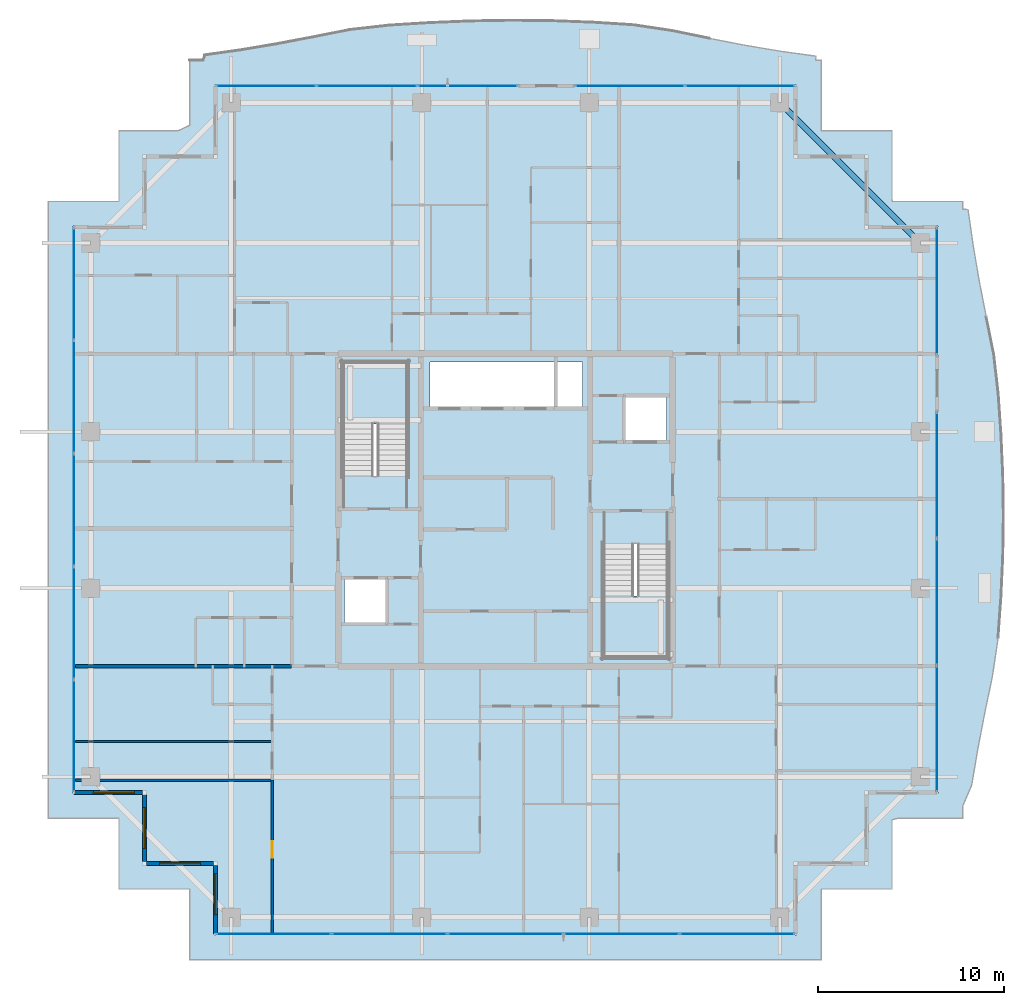
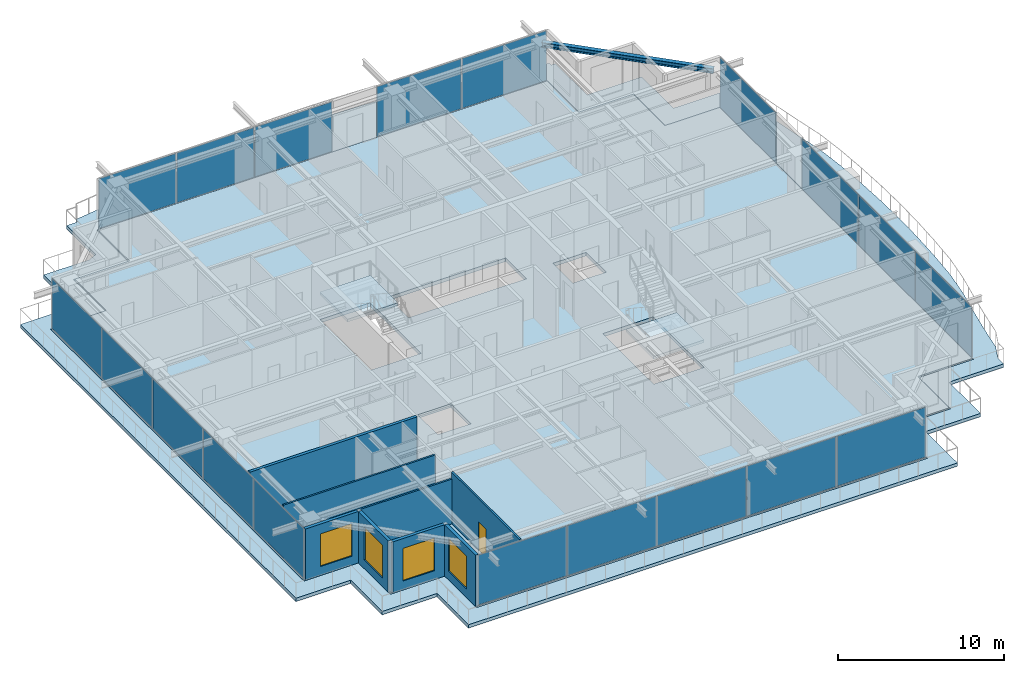
# One storey, part 27 of 40: 19 plates, 8 walls, 4 slabs, 4 windows, 1 beam, 1 door, 5 openings, 8 elements without a shape of their own.
"""IFC4 building model written with IfcOpenShell, lengths in metres."""

from ifc_helpers import new_model, si_unit, direction, frame, frame_2d, origin, origin_2d, place, context, subcontext, project, spatial, polyline, rectangle, i_section, outline, extrude, source, transform, mapped, material, layer, layer_set, material_profile, profile_set, type_object, element, fill, aggregate, save


model = new_model("IFC4")

# Units and contexts
model_context = context("Model", 3, precision=1e-05, world=origin(), true_north=direction((0.0, 1.0)))
body_context = subcontext(model_context, "Body", "Model", "MODEL_VIEW")
ifc_project = project(units=[si_unit("LENGTHUNIT", "METRE"), si_unit("AREAUNIT", "SQUARE_METRE"), si_unit("VOLUMEUNIT", "CUBIC_METRE"), si_unit("PLANEANGLEUNIT", "RADIAN"), si_unit("MASSUNIT", "GRAM", prefix="KILO")], contexts=[model_context])

# Site, building, storey
site_placement = place(None, origin())
site = spatial("IfcSite", under=ifc_project, at=site_placement, CompositionType="ELEMENT")
building_placement = place(site_placement, origin())
building = spatial("IfcBuilding", under=site, at=building_placement, Name="Serunith Strait Residences", CompositionType="ELEMENT")
storey_placement = place(building_placement, frame((0.0, 0.0, 313.699951171875)))
storey = spatial("IfcBuildingStorey", under=building, at=storey_placement, Name="L78", CompositionType="ELEMENT", Elevation=313.699951171875)

# Beam
ifc_material_1 = material(Name="Steel S355J2", Category="steel")
ifc_material_profile = material_profile(ifc_material_1, i_section(OverallWidth=0.300048828125, OverallDepth=0.360107421875, WebThickness=0.012451171875, FlangeThickness=0.0224609375, FilletRadius=0.027099609375, at=origin_2d()), Name="HEB 360")
ifc_profile_set = profile_set([ifc_material_profile], Name="Steel S355J2")
beam_type = type_object("IfcBeamType", Name="BM-HEB360", PredefinedType="BEAM", material=ifc_profile_set)
shared_shape_1 = source(origin(), body_context, "Body", "SweptSolid", [
    extrude(i_section(OverallWidth=0.300048828125, OverallDepth=0.360107421875, WebThickness=0.012451171875, FlangeThickness=0.0224609375, FilletRadius=0.027099609375, at=origin_2d()), origin(), (0.0, 0.0, 1.0), 10.677490234375),
])
beam_placement = place(storey_placement, frame((54.699951171875, 39.550048828125, 3.5771484375), z_axis=(-0.707106781187, 0.707106781187, 0.0), x_axis=(-0.707106781187, -0.707106781187, 0.0)))
element("IfcBeam", 1, at=beam_placement, inside=storey, type_object=beam_type, Name="L78 Perimeter Ring Beam 08", PredefinedType="BEAM", context=body_context, shape_type="MappedRepresentation", body=[
    mapped(shared_shape_1, transform((0.0, 0.0, 0.0), scale=1.0)),
])

# Slab
ifc_material_2 = material(Name="Concrete C50/60", Category="concrete")
ifc_layer_1 = layer(ifc_material_2, 0.239990234375, Name="Concrete C50/60")
ifc_layer_set_1 = layer_set([ifc_layer_1], Name="Concrete C50/60")
slab_type_1 = type_object("IfcSlabType", Name="SLB-BALC-240", PredefinedType="FLOOR", material=ifc_layer_set_1)
slab_1_placement = place(storey_placement, frame((0.0, 0.0, -0.2900390625)))
element("IfcSlab", 2, at=slab_1_placement, inside=storey, type_object=slab_type_1, Name="L78 Planted Vertical-Forest Balcony Slab", PredefinedType="FLOOR", context=body_context, shape_type="SweptSolid", body=[
    extrude(outline(polyline([(15.419921875, 49.3798828125), (16.14990234375, 49.3798828125), (16.240478515625, 49.653564453125), (18.141845703125, 49.92138671875), (20.06103515625, 50.243896484375), (22.014892578125, 50.614501953125), (24.022216796875, 51.0126953125), (26.134765625, 51.25146484375), (28.303466796875, 51.38720703125), (30.498291015625, 51.477783203125), (32.707763671875, 51.5146484375), (34.917724609375, 51.49169921875), (37.11279296875, 51.408447265625), (39.27978515625, 51.27099609375), (41.363037109375, 50.959228515625), (43.35205078125, 50.551025390625), (45.289794921875, 50.176513671875), (47.19677734375, 49.85498046875), (49.089599609375, 49.592529296875), (49.087646484375, 49.3798828125), (49.3798828125, 49.3798828125), (49.3798828125, 45.580078125), (53.179931640625, 45.580078125), (53.179931640625, 41.892578125), (53.197021484375, 41.780029296875), (56.97998046875, 41.780029296875), (56.97998046875, 41.365478515625), (57.265380859375, 41.348388671875), (57.5361328125, 39.447509765625), (57.864013671875, 37.529541015625), (58.242919921875, 35.577880859375), (58.65283203125, 33.57373046875), (58.89306640625, 31.461669921875), (59.042236328125, 29.2958984375), (59.14013671875, 27.101806640625), (59.17431640625, 24.892333984375), (59.139404296875, 22.68359375), (59.038818359375, 20.4921875), (58.883544921875, 18.331787109375), (58.573486328125, 16.249755859375), (58.16064453125, 14.2626953125), (57.784912109375, 12.3251953125), (57.464599609375, 10.4169921875), (56.97998046875, 9.292724609375), (56.97998046875, 8.6201171875), (53.47119140625, 8.6201171875), (53.179931640625, 8.547119140625), (53.179931640625, 4.820068359375), (49.392578125, 4.820068359375), (49.3798828125, 4.815185546875), (49.3798828125, 1.02001953125), (15.419921875, 1.02001953125), (15.419921875, 4.820068359375), (11.6201171875, 4.820068359375), (11.6201171875, 8.6201171875), (7.820068359375, 8.6201171875), (7.820068359375, 41.780029296875), (11.6201171875, 41.780029296875), (11.6201171875, 45.580078125), (14.802001953125, 45.580078125), (15.419921875, 45.871826171875), (15.419921875, 49.3798828125)]), holes=[polyline([(48.054931640625, 2.344970703125), (48.054931640625, 6.14501953125), (51.85498046875, 6.14501953125), (51.85498046875, 9.945068359375), (55.655029296875, 9.945068359375), (55.655029296875, 40.455078125), (51.85498046875, 40.455078125), (51.85498046875, 44.2548828125), (48.054931640625, 44.2548828125), (48.054931640625, 48.054931640625), (16.7451171875, 48.054931640625), (16.7451171875, 44.2548828125), (12.945068359375, 44.2548828125), (12.945068359375, 40.455078125), (9.14501953125, 40.455078125), (9.14501953125, 9.945068359375), (12.945068359375, 9.945068359375), (12.945068359375, 6.14501953125), (16.7451171875, 6.14501953125), (16.7451171875, 2.344970703125), (48.054931640625, 2.344970703125)])]), origin(), (0.0, 0.0, 1.0), 0.239990234375),
])

# Stair, slab
stair_type_1 = type_object("IfcStairType", Name="STR-CORE-1", PredefinedType="HALF_TURN_STAIR", material=ifc_material_2)
stair_1_placement = place(storey_placement, origin())
stair_1 = element("IfcStair", 3, at=stair_1_placement, inside=storey, type_object=stair_type_1, Name="L78 Protected Escape Stair ST-1", PredefinedType="HALF_TURN_STAIR")
ifc_layer_2 = layer(ifc_material_2, 0.199951171875, Name="Concrete C50/60")
ifc_layer_set_2 = layer_set([ifc_layer_2], Name="Concrete C50/60")
slab_type_2 = type_object("IfcSlabType", Name="SLB-LAND-200", PredefinedType="LANDING", material=ifc_layer_set_2)
slab_2_placement = place(storey_placement, frame((0.0, 0.0, 1.824951171875)))
slab_2 = element("IfcSlab", 4, at=slab_2_placement, type_object=slab_type_2, Name="ST-1 landing 1", PredefinedType="LANDING", context=body_context, shape_type="SweptSolid", body=[
    extrude(outline(polyline([(27.14990234375, 29.830078125), (27.14990234375, 33.14990234375), (23.64990234375, 33.14990234375), (23.64990234375, 29.830078125), (27.14990234375, 29.830078125)])), origin(), (0.0, 0.0, 1.0), 0.2001953125),
])
aggregate(stair_1, [slab_2])

stair_type_2 = type_object("IfcStairType", Name="STR-CORE-2", PredefinedType="HALF_TURN_STAIR", material=ifc_material_2)
stair_2_placement = place(storey_placement, origin())
stair_2 = element("IfcStair", 5, at=stair_2_placement, inside=storey, type_object=stair_type_2, Name="L78 Protected Escape Stair ST-2", PredefinedType="HALF_TURN_STAIR")
slab_3_placement = place(storey_placement, frame((0.0, 0.0, 1.824951171875)))
slab_3 = element("IfcSlab", 6, at=slab_3_placement, type_object=slab_type_2, Name="ST-2 landing 1", PredefinedType="LANDING", context=body_context, shape_type="SweptSolid", body=[
    extrude(outline(polyline([(37.64990234375, 20.570068359375), (37.64990234375, 17.25), (41.14990234375, 17.25), (41.14990234375, 20.570068359375), (37.64990234375, 20.570068359375)])), origin(), (0.0, 0.0, 1.0), 0.2001953125),
])
aggregate(stair_2, [slab_3])

# Slab
ifc_material_3 = material(Name="Concrete C60/75", Category="concrete")
ifc_layer_3 = layer(ifc_material_3, 0.260009765625, Name="Concrete C60/75")
ifc_layer_set_3 = layer_set([ifc_layer_3], Name="Concrete C60/75")
slab_type_3 = type_object("IfcSlabType", Name="SLB-TWR-290-Z4", PredefinedType="FLOOR", material=ifc_layer_set_3)
slab_4_placement = place(storey_placement, frame((0.0, 0.0, -0.260009765625)))
element("IfcSlab", 7, at=slab_4_placement, inside=storey, type_object=slab_type_3, Name="L78 Structural Floor Plate", PredefinedType="FLOOR", context=body_context, shape_type="SweptSolid", body=[
    extrude(outline(polyline([(16.800048828125, 6.199951171875), (13.0, 6.199951171875), (13.0, 10.0), (9.199951171875, 10.0), (9.199951171875, 40.39990234375), (13.0, 40.39990234375), (13.0, 44.199951171875), (16.800048828125, 44.199951171875), (16.800048828125, 48.0), (48.0, 48.0), (48.0, 44.199951171875), (51.800048828125, 44.199951171875), (51.800048828125, 40.39990234375), (55.60009765625, 40.39990234375), (55.60009765625, 10.0), (51.800048828125, 10.0), (51.800048828125, 6.199951171875), (48.0, 6.199951171875), (48.0, 2.39990234375), (16.800048828125, 2.39990234375), (16.800048828125, 6.199951171875)]), holes=[polyline([(41.14990234375, 23.3701171875), (37.64990234375, 23.3701171875), (37.64990234375, 17.25), (41.14990234375, 17.25), (41.14990234375, 23.3701171875)]), polyline([(38.75, 31.25), (38.75, 28.85009765625), (41.050048828125, 28.85009765625), (41.050048828125, 31.25), (38.75, 31.25)]), polyline([(36.550048828125, 33.14990234375), (28.35009765625, 33.14990234375), (28.35009765625, 30.64990234375), (36.550048828125, 30.64990234375), (36.550048828125, 33.14990234375)]), polyline([(23.64990234375, 33.14990234375), (23.64990234375, 27.030029296875), (27.14990234375, 27.030029296875), (27.14990234375, 33.14990234375), (23.64990234375, 33.14990234375)]), polyline([(23.75, 21.550048828125), (23.75, 19.14990234375), (26.050048828125, 19.14990234375), (26.050048828125, 21.550048828125), (23.75, 21.550048828125)])]), origin(), (0.0, 0.0, 1.0), 0.260009765625),
])

# Curtain wall, plates
ifc_material_4 = material(Name="Brushed Stainless-Silver Aluminium", Category="aluminium")
ifc_layer_4 = layer(ifc_material_4, 0.199951171875, Name="Brushed Stainless-Silver Aluminium")
ifc_layer_set_4 = layer_set([ifc_layer_4], Name="Brushed Stainless-Silver Aluminium")
curtain_wall_type = type_object("IfcCurtainWallType", Name="CW-SYS5", PredefinedType="NOTDEFINED", material=ifc_layer_set_4)
curtain_wall_1_placement = place(storey_placement, origin())
curtain_wall_1 = element("IfcCurtainWall", 8, at=curtain_wall_1_placement, inside=storey, type_object=curtain_wall_type, Name="L78 S Unitised Fritted Curtain Wall", PredefinedType="NOTDEFINED")
ifc_material_5 = material(Name="Triple-Silver Low-E Operable Glazing 34mm", Category="glass")
ifc_layer_5 = layer(ifc_material_5, 0.033935546875, Name="Triple-Silver Low-E Operable Glazing 34mm")
ifc_layer_set_5 = layer_set([ifc_layer_5], Name="Triple-Silver Low-E Operable Glazing 34mm")
plate_type = type_object("IfcPlateType", Name="CW-SYS5-PNL", PredefinedType="CURTAIN_PANEL", material=ifc_layer_set_5)
shared_shape_2 = source(origin(), body_context, "Body", "SweptSolid", [
    extrude(rectangle(XDim=6.142578125, YDim=0.033935546875, at=origin_2d()), origin(), (0.0, 0.0, 1.0), 3.655029296875),
])
plate_1_placement = place(storey_placement, frame((19.936279296875, 2.39990234375, 0.06005859375), z_axis=(0.0, 0.0, 1.0), x_axis=(1.0, 0.0, 0.0)))
plate_1 = element("IfcPlate", 9, at=plate_1_placement, type_object=plate_type, Name="CW-5 panel 1.1", PredefinedType="CURTAIN_PANEL", context=body_context, shape_type="MappedRepresentation", body=[
    mapped(shared_shape_2, transform((0.0, 0.0, 0.0), scale=1.0)),
])
plate_2_placement = place(storey_placement, frame((44.86376953125, 2.39990234375, 0.06005859375), z_axis=(0.0, 0.0, 1.0), x_axis=(1.0, 0.0, 0.0)))
plate_2 = element("IfcPlate", 10, at=plate_2_placement, type_object=plate_type, Name="CW-5 panel 5.1", PredefinedType="CURTAIN_PANEL", context=body_context, shape_type="MappedRepresentation", body=[
    mapped(shared_shape_2, transform((0.0, 0.0, 0.0), scale=1.0)),
])
shared_shape_3 = source(origin(), body_context, "Body", "SweptSolid", [
    extrude(rectangle(XDim=6.175048828125, YDim=0.033935546875, at=origin_2d()), origin(), (0.0, 0.0, 1.0), 3.655029296875),
])
plate_3_placement = place(storey_placement, frame((26.159912109375, 2.39990234375, 0.06005859375), z_axis=(0.0, 0.0, 1.0), x_axis=(1.0, 0.0, 0.0)))
plate_3 = element("IfcPlate", 11, at=plate_3_placement, type_object=plate_type, Name="CW-5 panel 2.1", PredefinedType="CURTAIN_PANEL", context=body_context, shape_type="MappedRepresentation", body=[
    mapped(shared_shape_3, transform((0.0, 0.0, 0.0), scale=1.0)),
])
plate_4_placement = place(storey_placement, frame((32.39990234375, 2.39990234375, 0.06005859375), z_axis=(0.0, 0.0, 1.0), x_axis=(1.0, 0.0, 0.0)))
plate_4 = element("IfcPlate", 12, at=plate_4_placement, type_object=plate_type, Name="CW-5 panel 3.1", PredefinedType="CURTAIN_PANEL", context=body_context, shape_type="MappedRepresentation", body=[
    mapped(shared_shape_3, transform((0.0, 0.0, 0.0), scale=1.0)),
])
plate_5_placement = place(storey_placement, frame((38.639892578125, 2.39990234375, 0.06005859375), z_axis=(0.0, 0.0, 1.0), x_axis=(1.0, 0.0, 0.0)))
plate_5 = element("IfcPlate", 13, at=plate_5_placement, type_object=plate_type, Name="CW-5 panel 4.1", PredefinedType="CURTAIN_PANEL", context=body_context, shape_type="MappedRepresentation", body=[
    mapped(shared_shape_3, transform((0.0, 0.0, 0.0), scale=1.0)),
])
aggregate(curtain_wall_1, [plate_1, plate_3, plate_4, plate_5, plate_2])

curtain_wall_2_placement = place(storey_placement, origin())
curtain_wall_2 = element("IfcCurtainWall", 14, at=curtain_wall_2_placement, inside=storey, type_object=curtain_wall_type, Name="L78 W Unitised Fritted Curtain Wall", PredefinedType="NOTDEFINED")
shared_shape_4 = source(origin(), body_context, "Body", "SweptSolid", [
    extrude(rectangle(XDim=5.982421875, YDim=0.033935546875, at=origin_2d()), origin(), (0.0, 0.0, 1.0), 3.655029296875),
])
plate_6_placement = place(storey_placement, frame((9.199951171875, 37.34375, 0.06005859375), z_axis=(0.0, 0.0, 1.0), x_axis=(0.0, -1.0, 0.0)))
plate_6 = element("IfcPlate", 15, at=plate_6_placement, type_object=plate_type, Name="CW-5 panel 1.1", PredefinedType="CURTAIN_PANEL", context=body_context, shape_type="MappedRepresentation", body=[
    mapped(shared_shape_4, transform((0.0, 0.0, 0.0), scale=1.0)),
])
plate_7_placement = place(storey_placement, frame((9.199951171875, 13.05615234375, 0.06005859375), z_axis=(0.0, 0.0, 1.0), x_axis=(0.0, -1.0, 0.0)))
plate_7 = element("IfcPlate", 16, at=plate_7_placement, type_object=plate_type, Name="CW-5 panel 5.1", PredefinedType="CURTAIN_PANEL", context=body_context, shape_type="MappedRepresentation", body=[
    mapped(shared_shape_4, transform((0.0, 0.0, 0.0), scale=1.0)),
])
shared_shape_5 = source(origin(), body_context, "Body", "SweptSolid", [
    extrude(rectangle(XDim=6.014892578125, YDim=0.033935546875, at=origin_2d()), origin(), (0.0, 0.0, 1.0), 3.655029296875),
])
plate_8_placement = place(storey_placement, frame((9.199951171875, 31.280029296875, 0.06005859375), z_axis=(0.0, 0.0, 1.0), x_axis=(0.0, -1.0, 0.0)))
plate_8 = element("IfcPlate", 17, at=plate_8_placement, type_object=plate_type, Name="CW-5 panel 2.1", PredefinedType="CURTAIN_PANEL", context=body_context, shape_type="MappedRepresentation", body=[
    mapped(shared_shape_5, transform((0.0, 0.0, 0.0), scale=1.0)),
])
plate_9_placement = place(storey_placement, frame((9.199951171875, 25.199951171875, 0.06005859375), z_axis=(0.0, 0.0, 1.0), x_axis=(0.0, -1.0, 0.0)))
plate_9 = element("IfcPlate", 18, at=plate_9_placement, type_object=plate_type, Name="CW-5 panel 3.1", PredefinedType="CURTAIN_PANEL", context=body_context, shape_type="MappedRepresentation", body=[
    mapped(shared_shape_5, transform((0.0, 0.0, 0.0), scale=1.0)),
])
plate_10_placement = place(storey_placement, frame((9.199951171875, 19.1201171875, 0.06005859375), z_axis=(0.0, 0.0, 1.0), x_axis=(0.0, -1.0, 0.0)))
plate_10 = element("IfcPlate", 19, at=plate_10_placement, type_object=plate_type, Name="CW-5 panel 4.1", PredefinedType="CURTAIN_PANEL", context=body_context, shape_type="MappedRepresentation", body=[
    mapped(shared_shape_5, transform((0.0, 0.0, 0.0), scale=1.0)),
])
aggregate(curtain_wall_2, [plate_6, plate_8, plate_9, plate_10, plate_7])

curtain_wall_3_placement = place(storey_placement, origin())
curtain_wall_3 = element("IfcCurtainWall", 20, at=curtain_wall_3_placement, inside=storey, type_object=curtain_wall_type, Name="L78 N Unitised Fritted Curtain Wall", PredefinedType="NOTDEFINED")
shared_shape_6 = source(origin(), body_context, "Body", "SweptSolid", [
    extrude(rectangle(XDim=5.8525390625, YDim=0.033935546875, at=origin_2d()), origin(), (0.0, 0.0, 1.0), 3.655029296875),
])
plate_11_placement = place(storey_placement, frame((45.0087890625, 48.0, 0.06005859375), z_axis=(0.0, 0.0, 1.0), x_axis=(-1.0, 0.0, 0.0)))
plate_11 = element("IfcPlate", 21, at=plate_11_placement, type_object=plate_type, Name="CW-5 panel 1.1", PredefinedType="CURTAIN_PANEL", context=body_context, shape_type="MappedRepresentation", body=[
    mapped(shared_shape_6, transform((0.0, 0.0, 0.0), scale=1.0)),
])
plate_12_placement = place(storey_placement, frame((39.09130859375, 48.0, 0.06005859375), z_axis=(0.0, 0.0, 1.0), x_axis=(-1.0, 0.0, 0.0)))
plate_12 = element("IfcPlate", 22, at=plate_12_placement, type_object=plate_type, Name="CW-5 panel 2.1", PredefinedType="CURTAIN_PANEL", context=body_context, shape_type="MappedRepresentation", body=[
    mapped(shared_shape_6, transform((0.0, 0.0, 0.0), scale=1.0)),
])
aggregate(curtain_wall_3, [plate_11, plate_12])

curtain_wall_4_placement = place(storey_placement, origin())
curtain_wall_4 = element("IfcCurtainWall", 23, at=curtain_wall_4_placement, inside=storey, type_object=curtain_wall_type, Name="L78 N Unitised Fritted Curtain Wall", PredefinedType="NOTDEFINED")
shared_shape_7 = source(origin(), body_context, "Body", "SweptSolid", [
    extrude(rectangle(XDim=5.3359375, YDim=0.033935546875, at=origin_2d()), origin(), (0.0, 0.0, 1.0), 3.655029296875),
])
plate_13_placement = place(storey_placement, frame((30.3671875, 48.0, 0.06005859375), z_axis=(0.0, 0.0, 1.0), x_axis=(-1.0, 0.0, 0.0)))
plate_13 = element("IfcPlate", 24, at=plate_13_placement, type_object=plate_type, Name="CW-5 panel 1.1", PredefinedType="CURTAIN_PANEL", context=body_context, shape_type="MappedRepresentation", body=[
    mapped(shared_shape_7, transform((0.0, 0.0, 0.0), scale=1.0)),
])
plate_14_placement = place(storey_placement, frame((19.532958984375, 48.0, 0.06005859375), z_axis=(0.0, 0.0, 1.0), x_axis=(-1.0, 0.0, 0.0)))
plate_14 = element("IfcPlate", 25, at=plate_14_placement, type_object=plate_type, Name="CW-5 panel 3.1", PredefinedType="CURTAIN_PANEL", context=body_context, shape_type="MappedRepresentation", body=[
    mapped(shared_shape_7, transform((0.0, 0.0, 0.0), scale=1.0)),
])
shared_shape_8 = source(origin(), body_context, "Body", "SweptSolid", [
    extrude(rectangle(XDim=5.368408203125, YDim=0.033935546875, at=origin_2d()), origin(), (0.0, 0.0, 1.0), 3.655029296875),
])
plate_15_placement = place(storey_placement, frame((24.949951171875, 48.0, 0.06005859375), z_axis=(0.0, 0.0, 1.0), x_axis=(-1.0, 0.0, 0.0)))
plate_15 = element("IfcPlate", 26, at=plate_15_placement, type_object=plate_type, Name="CW-5 panel 2.1", PredefinedType="CURTAIN_PANEL", context=body_context, shape_type="MappedRepresentation", body=[
    mapped(shared_shape_8, transform((0.0, 0.0, 0.0), scale=1.0)),
])
aggregate(curtain_wall_4, [plate_13, plate_15, plate_14])

curtain_wall_5_placement = place(storey_placement, origin())
curtain_wall_5 = element("IfcCurtainWall", 27, at=curtain_wall_5_placement, inside=storey, type_object=curtain_wall_type, Name="L78 E Unitised Fritted Curtain Wall", PredefinedType="NOTDEFINED")
shared_shape_9 = source(origin(), body_context, "Body", "SweptSolid", [
    extrude(rectangle(XDim=6.73583984375, YDim=0.033935546875, at=origin_2d()), origin(), (0.0, 0.0, 1.0), 3.655029296875),
])
plate_16_placement = place(storey_placement, frame((55.60009765625, 13.432861328125, 0.06005859375), z_axis=(0.0, 0.0, 1.0), x_axis=(0.0, 1.0, 0.0)))
plate_16 = element("IfcPlate", 28, at=plate_16_placement, type_object=plate_type, Name="CW-5 panel 1.1", PredefinedType="CURTAIN_PANEL", context=body_context, shape_type="MappedRepresentation", body=[
    mapped(shared_shape_9, transform((0.0, 0.0, 0.0), scale=1.0)),
])
plate_17_placement = place(storey_placement, frame((55.60009765625, 27.067138671875, 0.06005859375), z_axis=(0.0, 0.0, 1.0), x_axis=(0.0, 1.0, 0.0)))
plate_17 = element("IfcPlate", 29, at=plate_17_placement, type_object=plate_type, Name="CW-5 panel 3.1", PredefinedType="CURTAIN_PANEL", context=body_context, shape_type="MappedRepresentation", body=[
    mapped(shared_shape_9, transform((0.0, 0.0, 0.0), scale=1.0)),
])
shared_shape_10 = source(origin(), body_context, "Body", "SweptSolid", [
    extrude(rectangle(XDim=6.768310546875, YDim=0.033935546875, at=origin_2d()), origin(), (0.0, 0.0, 1.0), 3.655029296875),
])
plate_18_placement = place(storey_placement, frame((55.60009765625, 20.25, 0.06005859375), z_axis=(0.0, 0.0, 1.0), x_axis=(0.0, 1.0, 0.0)))
plate_18 = element("IfcPlate", 30, at=plate_18_placement, type_object=plate_type, Name="CW-5 panel 2.1", PredefinedType="CURTAIN_PANEL", context=body_context, shape_type="MappedRepresentation", body=[
    mapped(shared_shape_10, transform((0.0, 0.0, 0.0), scale=1.0)),
])
aggregate(curtain_wall_5, [plate_16, plate_18, plate_17])

# Curtain wall, plate
curtain_wall_6_placement = place(storey_placement, origin())
curtain_wall_6 = element("IfcCurtainWall", 31, at=curtain_wall_6_placement, inside=storey, type_object=curtain_wall_type, Name="L78 E Unitised Fritted Curtain Wall", PredefinedType="NOTDEFINED")
shared_shape_11 = source(origin(), body_context, "Body", "SweptSolid", [
    extrude(rectangle(XDim=6.77001953125, YDim=0.033935546875, at=origin_2d()), origin(), (0.0, 0.0, 1.0), 3.655029296875),
])
plate_19_placement = place(storey_placement, frame((55.60009765625, 36.949951171875, 0.06005859375), z_axis=(0.0, 0.0, 1.0), x_axis=(0.0, 1.0, 0.0)))
plate_19 = element("IfcPlate", 32, at=plate_19_placement, type_object=plate_type, Name="CW-5 panel 1.1", PredefinedType="CURTAIN_PANEL", context=body_context, shape_type="MappedRepresentation", body=[
    mapped(shared_shape_11, transform((0.0, 0.0, 0.0), scale=1.0)),
])
aggregate(curtain_wall_6, [plate_19])

# Wall, opening, window
ifc_material_6 = material(Name="Pale-Champagne Aluminium Insulated Panel", Category="aluminium")
ifc_layer_6 = layer(ifc_material_6, 0.219970703125, Name="Pale-Champagne Aluminium Insulated Panel")
ifc_layer_set_6 = layer_set([ifc_layer_6], Name="Pale-Champagne Aluminium Insulated Panel")
wall_type_1 = type_object("IfcWallType", Name="EW-ALUM-220", PredefinedType="ELEMENTEDWALL", material=ifc_layer_set_6)
wall_1_placement = place(storey_placement, frame((9.199951171875, 10.0, 0.0), z_axis=(0.0, 0.0, 1.0), x_axis=(1.0, 0.0, 0.0)))
wall_1 = element("IfcWall", 33, at=wall_1_placement, inside=storey, type_object=wall_type_1, Name="L78 Girih Serrated Corner Wall 17", PredefinedType="ELEMENTEDWALL", context=body_context, shape_type="SweptSolid", body=[
    extrude(rectangle(XDim=3.68994140625, YDim=0.219970703125, at=frame_2d((1.844970703125, 0.0))), origin(), (0.0, 0.0, 1.0), 3.775146484375),
])
opening_1_placement = place(wall_1_placement, frame((1.04296875, 0.0, 0.64990234375)))
opening_1 = element("IfcOpeningElement", 34, at=opening_1_placement, cuts=wall_1, Name="Opening W-06", PredefinedType="OPENING", context=body_context, shape_type="SweptSolid", body=[
    extrude(rectangle(XDim=2.199951171875, YDim=2.39990234375, at=frame_2d((1.10009765625, 1.199951171875))), frame((0.0, 0.1201171875, 0.0), z_axis=(0.0, -1.0, 0.0), x_axis=(1.0, 0.0, 0.0)), (0.0, 0.0, 1.0), 0.239990234375),
])
ifc_material_7 = material(Name="Crown Penthouse Low-E Operable Window Glass", Category="glass")
window_type = type_object("IfcWindowType", Name="WIN-C6", PartitioningType="TRIPLE_PANEL_VERTICAL", PredefinedType="WINDOW", material=ifc_material_7)
shared_shape_12 = source(origin(), body_context, "Body", "SweptSolid", [
    extrude(rectangle(XDim=2.199951171875, YDim=2.39990234375, at=frame_2d((1.10009765625, 1.199951171875))), frame((0.0, 0.030029296875, 0.0), z_axis=(0.0, -1.0, 0.0), x_axis=(1.0, 0.0, 0.0)), (0.0, 0.0, 1.0), 0.06005859375),
])
window_1_placement = place(opening_1_placement, origin())
window_1 = element("IfcWindow", 35, at=window_1_placement, inside=storey, type_object=window_type, Name="L78 Corner Operable Fritted Window 17", OverallHeight=2.39990234375, OverallWidth=2.199951171875, PartitioningType="SINGLE_PANEL", PredefinedType="WINDOW", context=body_context, shape_type="MappedRepresentation", body=[
    mapped(shared_shape_12, transform((0.0, 0.0, 0.0), scale=1.0)),
])
fill(opening_1, window_1)

wall_2_placement = place(storey_placement, frame((13.0, 9.889892578125, 0.0), z_axis=(0.0, 0.0, 1.0), x_axis=(0.0, -1.0, 0.0)))
wall_2 = element("IfcWall", 36, at=wall_2_placement, inside=storey, type_object=wall_type_1, Name="L78 Girih Serrated Corner Wall 18", PredefinedType="ELEMENTEDWALL", context=body_context, shape_type="SweptSolid", body=[
    extrude(rectangle(XDim=3.579833984375, YDim=0.219970703125, at=frame_2d((1.7900390625, 0.0))), origin(), (0.0, 0.0, 1.0), 3.775146484375),
])
opening_2_placement = place(wall_2_placement, frame((0.68994140625, 0.0, 0.64990234375)))
opening_2 = element("IfcOpeningElement", 37, at=opening_2_placement, cuts=wall_2, Name="Opening W-06", PredefinedType="OPENING", context=body_context, shape_type="SweptSolid", body=[
    extrude(rectangle(XDim=2.199951171875, YDim=2.39990234375, at=frame_2d((1.10009765625, 1.199951171875))), frame((0.0, 0.1201171875, 0.0), z_axis=(0.0, -1.0, 0.0), x_axis=(1.0, 0.0, 0.0)), (0.0, 0.0, 1.0), 0.239990234375),
])
window_2_placement = place(opening_2_placement, origin())
window_2 = element("IfcWindow", 38, at=window_2_placement, inside=storey, type_object=window_type, Name="L78 Corner Operable Fritted Window 18", OverallHeight=2.39990234375, OverallWidth=2.199951171875, PartitioningType="SINGLE_PANEL", PredefinedType="WINDOW", context=body_context, shape_type="MappedRepresentation", body=[
    mapped(shared_shape_12, transform((0.0, 0.0, 0.0), scale=1.0)),
])
fill(opening_2, window_2)

wall_3_placement = place(storey_placement, frame((13.110107421875, 6.199951171875, 0.0), z_axis=(0.0, 0.0, 1.0), x_axis=(1.0, 0.0, 0.0)))
wall_3 = element("IfcWall", 39, at=wall_3_placement, inside=storey, type_object=wall_type_1, Name="L78 Girih Serrated Corner Wall 19", PredefinedType="ELEMENTEDWALL", context=body_context, shape_type="SweptSolid", body=[
    extrude(rectangle(XDim=3.579833984375, YDim=0.219970703125, at=frame_2d((1.7900390625, 0.0))), origin(), (0.0, 0.0, 1.0), 3.775146484375),
])
opening_3_placement = place(wall_3_placement, frame((0.68994140625, 0.0, 0.64990234375)))
opening_3 = element("IfcOpeningElement", 40, at=opening_3_placement, cuts=wall_3, Name="Opening W-06", PredefinedType="OPENING", context=body_context, shape_type="SweptSolid", body=[
    extrude(rectangle(XDim=2.199951171875, YDim=2.39990234375, at=frame_2d((1.10009765625, 1.199951171875))), frame((0.0, 0.1201171875, 0.0), z_axis=(0.0, -1.0, 0.0), x_axis=(1.0, 0.0, 0.0)), (0.0, 0.0, 1.0), 0.239990234375),
])
window_3_placement = place(opening_3_placement, origin())
window_3 = element("IfcWindow", 41, at=window_3_placement, inside=storey, type_object=window_type, Name="L78 Corner Operable Fritted Window 19", OverallHeight=2.39990234375, OverallWidth=2.199951171875, PartitioningType="SINGLE_PANEL", PredefinedType="WINDOW", context=body_context, shape_type="MappedRepresentation", body=[
    mapped(shared_shape_12, transform((0.0, 0.0, 0.0), scale=1.0)),
])
fill(opening_3, window_3)

wall_4_placement = place(storey_placement, frame((16.800048828125, 6.090087890625, 0.0), z_axis=(0.0, 0.0, 1.0), x_axis=(0.0, -1.0, 0.0)))
wall_4 = element("IfcWall", 42, at=wall_4_placement, inside=storey, type_object=wall_type_1, Name="L78 Girih Serrated Corner Wall 20", PredefinedType="ELEMENTEDWALL", context=body_context, shape_type="SweptSolid", body=[
    extrude(rectangle(XDim=3.690185546875, YDim=0.219970703125, at=frame_2d((1.84521484375, 0.0))), origin(), (0.0, 0.0, 1.0), 3.775146484375),
])
opening_4_placement = place(wall_4_placement, frame((0.447021484375, 0.0, 0.64990234375)))
opening_4 = element("IfcOpeningElement", 43, at=opening_4_placement, cuts=wall_4, Name="Opening W-06", PredefinedType="OPENING", context=body_context, shape_type="SweptSolid", body=[
    extrude(rectangle(XDim=2.199951171875, YDim=2.39990234375, at=frame_2d((1.10009765625, 1.199951171875))), frame((0.0, 0.1201171875, 0.0), z_axis=(0.0, -1.0, 0.0), x_axis=(1.0, 0.0, 0.0)), (0.0, 0.0, 1.0), 0.239990234375),
])
window_4_placement = place(opening_4_placement, origin())
window_4 = element("IfcWindow", 44, at=window_4_placement, inside=storey, type_object=window_type, Name="L78 Corner Operable Fritted Window 20", OverallHeight=2.39990234375, OverallWidth=2.199951171875, PartitioningType="SINGLE_PANEL", PredefinedType="WINDOW", context=body_context, shape_type="MappedRepresentation", body=[
    mapped(shared_shape_12, transform((0.0, 0.0, 0.0), scale=1.0)),
])
fill(opening_4, window_4)

# Wall, opening, door
ifc_material_8 = material(Name="Lightweight steel-stud gypsum partition", Category="steel")
ifc_layer_7 = layer(ifc_material_8, 0.1201171875, Name="Lightweight steel-stud gypsum partition")
ifc_layer_set_7 = layer_set([ifc_layer_7], Name="Lightweight steel-stud gypsum partition")
wall_type_2 = type_object("IfcWallType", Name="IW-PART-120", PredefinedType="PARTITIONING", material=ifc_layer_set_7)
wall_5_placement = place(storey_placement, frame((19.860107421875, 2.4951171875, 0.0), z_axis=(0.0, 0.0, 1.0), x_axis=(0.0, 1.0, 0.0)))
wall_5 = element("IfcWall", 45, at=wall_5_placement, inside=storey, type_object=wall_type_2, Name="L78 Partition Wall 034", PredefinedType="PARTITIONING", context=body_context, shape_type="SweptSolid", body=[
    extrude(rectangle(XDim=8.177001953125, YDim=0.1201171875, at=frame_2d((4.08837890625, 0.0))), origin(), (0.0, 0.0, 1.0), 3.7900390625),
])
opening_5_placement = place(wall_5_placement, frame((4.001953125, 0.0, 0.0)))
opening_5 = element("IfcOpeningElement", 46, at=opening_5_placement, cuts=wall_5, Name="Opening D-RM900", PredefinedType="OPENING", context=body_context, shape_type="SweptSolid", body=[
    extrude(rectangle(XDim=0.89990234375, YDim=2.10009765625, at=frame_2d((0.449951171875, 1.050048828125))), frame((0.0, 0.070068359375, 0.0), z_axis=(0.0, -1.0, 0.0), x_axis=(1.0, 0.0, 0.0)), (0.0, 0.0, 1.0), 0.14013671875),
])
ifc_material_9 = material(Name="Engineered timber flush bedroom door", Category="wood")
door_type = type_object("IfcDoorType", Name="ID-ROOM-900", OperationType="NOTDEFINED", PredefinedType="DOOR", material=ifc_material_9)
shared_shape_13 = source(origin(), body_context, "Body", "SweptSolid", [
    extrude(rectangle(XDim=0.89990234375, YDim=2.10009765625, at=frame_2d((0.449951171875, 1.050048828125))), frame((0.0, 0.02490234375, 0.0), z_axis=(0.0, -1.0, 0.0), x_axis=(1.0, 0.0, 0.0)), (0.0, 0.0, 1.0), 0.050048828125),
])
door_placement = place(opening_5_placement, origin())
door = element("IfcDoor", 47, at=door_placement, inside=storey, type_object=door_type, Name="L78 Master Bedroom 1 7801 Door", OperationType="SINGLE_SWING_LEFT", OverallHeight=2.10009765625, OverallWidth=0.89990234375, PredefinedType="DOOR", context=body_context, shape_type="MappedRepresentation", body=[
    mapped(shared_shape_13, transform((0.0, 0.0, 0.0), scale=1.0)),
])
fill(opening_5, door)

# Walls
wall_6_placement = place(storey_placement, frame((9.294921875, 10.672119140625, 0.0), z_axis=(0.0, 0.0, 1.0), x_axis=(1.0, 0.0, 0.0)))
element("IfcWall", 48, at=wall_6_placement, inside=storey, type_object=wall_type_2, Name="L78 Partition Wall 035", PredefinedType="PARTITIONING", context=body_context, shape_type="SweptSolid", body=[
    extrude(rectangle(XDim=10.565185546875, YDim=0.1201171875, at=frame_2d((5.28271484375, 0.0))), origin(), (0.0, 0.0, 1.0), 3.2919921875),
])
wall_7_placement = place(storey_placement, frame((9.294921875, 12.75, 0.0), z_axis=(0.0, 0.0, 1.0), x_axis=(1.0, 0.0, 0.0)))
element("IfcWall", 49, at=wall_7_placement, inside=storey, type_object=wall_type_2, Name="L78 Partition Wall 036", PredefinedType="PARTITIONING", context=body_context, shape_type="SweptSolid", body=[
    extrude(rectangle(XDim=10.565185546875, YDim=0.1201171875, at=frame_2d((5.28271484375, 0.0))), origin(), (0.0, 0.0, 1.0), 3.7900390625),
])
ifc_material_10 = material(Name="Twin-stud acoustic gypsum board partition")
ifc_layer_8 = layer(ifc_material_10, 0.199951171875, Name="Twin-stud acoustic gypsum board partition")
ifc_layer_set_8 = layer_set([ifc_layer_8], Name="Twin-stud acoustic gypsum board partition")
wall_type_3 = type_object("IfcWallType", Name="IW-PARTY-200", PredefinedType="PARTITIONING", material=ifc_layer_set_8)
wall_8_placement = place(storey_placement, frame((9.281982421875, 16.800048828125, 0.0), z_axis=(0.0, 0.0, 1.0), x_axis=(1.0, 0.0, 0.0)))
element("IfcWall", 50, at=wall_8_placement, inside=storey, type_object=wall_type_3, Name="L78 Partition Wall 024", PredefinedType="PARTITIONING", context=body_context, shape_type="SweptSolid", body=[
    extrude(rectangle(XDim=11.617919921875, YDim=0.199951171875, at=frame_2d((5.80908203125, 0.0))), origin(), (0.0, 0.0, 1.0), 3.7900390625),
])

save(model, "model.ifc")
